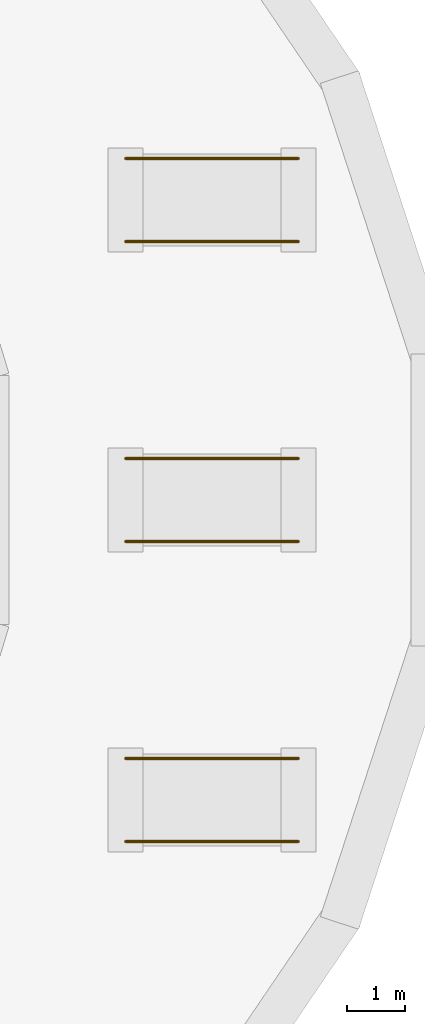
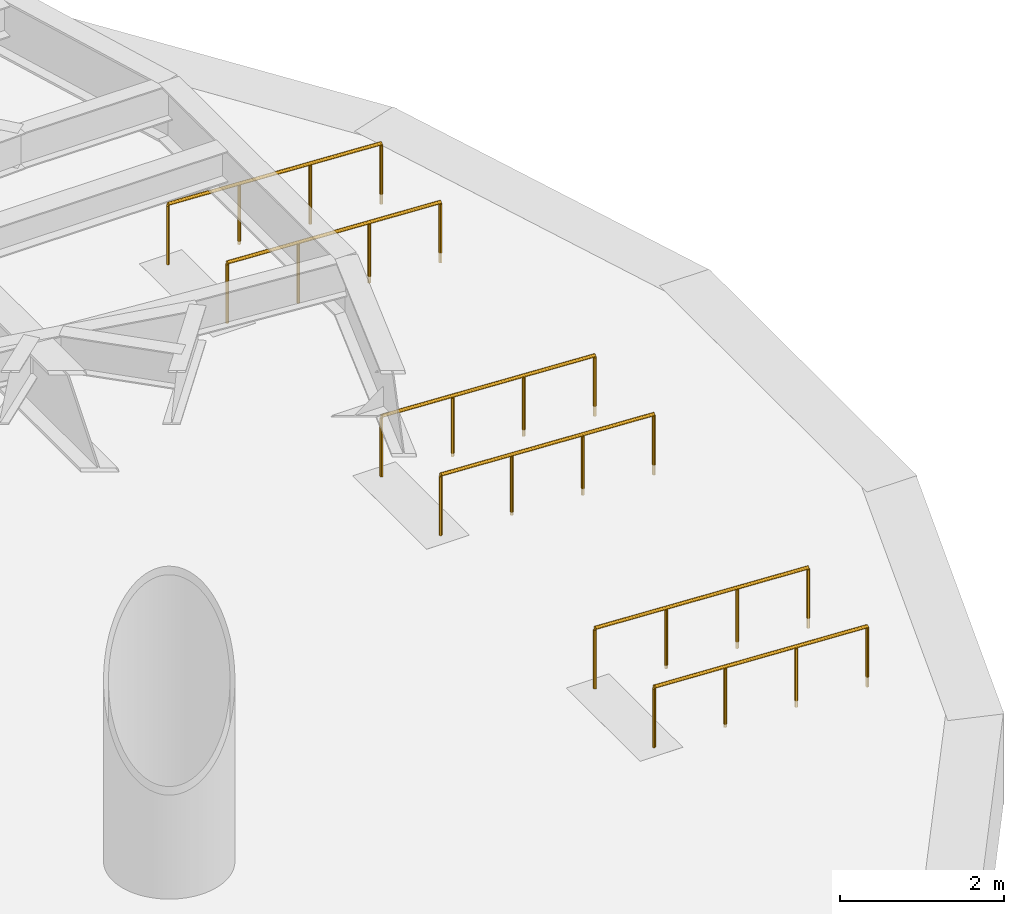
# One storey, part 20 of 21: 6 railings.
"""IFC4 building model written with IfcOpenShell, lengths in metres."""

import ifcopenshell
import ifcopenshell.guid

model = None  # the IFC model being written
_history = None  # IfcOwnerHistory: only IFC2X3 demands one
_inside = {}  # id of a spatial element -> (the spatial element, [elements in it])
_under = {}  # id of a project, library or spatial element -> (it, [spatial elements below it])
_declared = {}  # id of a project -> (the project, [libraries it declares])
_typed = {}  # id of a type object -> (the type object, [elements of that type])
_made_of = {}  # id of a material, layer set ... -> (it, [elements and type objects made of it])


def new_model(schema):
    """Start an empty IFC model of exactly this schema.

    Asked for "IFC4X3", IfcOpenShell would pick the latest addendum, in which some entities
    have other attributes; the version numbers below select the first issue.
    IFC2X3 requires an IfcOwnerHistory on every rooted entity: one is made here for all.
    """
    global model, _history
    if schema == "IFC4X3":
        model = ifcopenshell.file(schema_version=(4, 3, 0, 0))
    else:
        model = ifcopenshell.file(schema=schema)
    _inside.clear()
    _under.clear()
    _declared.clear()
    _typed.clear()
    _made_of.clear()
    _history = None
    if model.schema == "IFC2X3":
        org = make("IfcOrganization", Name="unknown")
        user = make(
            "IfcPersonAndOrganization",
            ThePerson=make("IfcPerson", FamilyName="unknown"),
            TheOrganization=org,
        )
        app = make(
            "IfcApplication",
            ApplicationDeveloper=org,
            Version="unknown",
            ApplicationFullName="unknown",
            ApplicationIdentifier="unknown",
        )
        _history = make(
            "IfcOwnerHistory",
            OwningUser=user,
            OwningApplication=app,
            ChangeAction="ADDED",
            CreationDate=0,
        )
    return model


def make(cls, **values):
    """One entity of the class cls with the attributes given. An attribute that is None is left unset."""
    return model.create_entity(
        cls, **{name: value for name, value in values.items() if value is not None}
    )


def rooted(cls, **values):
    """An entity with a GlobalId (a new one), such as an element, a storey or a relation."""
    return make(cls, GlobalId=ifcopenshell.guid.new(), OwnerHistory=_history, **values)


def si_unit(unit_type, name, prefix=None):
    """IfcSIUnit, for example si_unit("LENGTHUNIT", "METRE", prefix="MILLI")."""
    return make("IfcSIUnit", UnitType=unit_type, Prefix=prefix, Name=name)


def assignment(units):
    """IfcUnitAssignment: the units of a project."""
    return None if units is None else make("IfcUnitAssignment", Units=units)


def point(xyz):
    """IfcCartesianPoint."""
    return None if xyz is None else make("IfcCartesianPoint", Coordinates=xyz)


def direction(xyz):
    """IfcDirection."""
    return None if xyz is None else make("IfcDirection", DirectionRatios=xyz)


def frame(location, z_axis=None, x_axis=None):
    """IfcAxis2Placement3D, a coordinate frame: its origin and axes. An axis left out is left unset."""
    return make(
        "IfcAxis2Placement3D",
        Location=point(location),
        Axis=direction(z_axis),
        RefDirection=direction(x_axis),
    )


def frame_2d(location, x_axis=None):
    """IfcAxis2Placement2D, a coordinate frame in the plane: its origin and x axis."""
    return make(
        "IfcAxis2Placement2D", Location=point(location), RefDirection=direction(x_axis)
    )


def origin():
    """The frame at (0, 0, 0) with its axes left unset."""
    return frame((0.0, 0.0, 0.0))


def origin_2d():
    """The frame at (0, 0) in the plane with its x axis left unset."""
    return frame_2d((0.0, 0.0))


def place(relative_to, where):
    """IfcLocalPlacement: puts the frame where relative to a parent placement (None: the world)."""
    return make(
        "IfcLocalPlacement", PlacementRelTo=relative_to, RelativePlacement=where
    )


def context(
    kind, dimensions, precision=None, world=None, true_north=None, identifier=None
):
    """IfcGeometricRepresentationContext, for example the 3D "Model" context."""
    return make(
        "IfcGeometricRepresentationContext",
        ContextIdentifier=identifier,
        ContextType=kind,
        CoordinateSpaceDimension=dimensions,
        Precision=precision,
        WorldCoordinateSystem=world,
        TrueNorth=true_north,
    )


def subcontext(parent, identifier, kind, view, scale=None):
    """IfcGeometricRepresentationSubContext, for example "Body" below "Model"."""
    return make(
        "IfcGeometricRepresentationSubContext",
        ContextIdentifier=identifier,
        ContextType=kind,
        ParentContext=parent,
        TargetScale=scale,
        TargetView=view,
    )


def project(units=None, contexts=None):
    """IfcProject with its units and contexts."""
    return rooted(
        "IfcProject",
        Name="project",
        RepresentationContexts=contexts,
        UnitsInContext=assignment(units),
    )


def spatial(cls, under=None, at=None, **own):
    """A site, building, storey or space (cls), placed at a placement, below another one or the project."""
    s = rooted(cls, ObjectPlacement=at, **own)
    if under is not None:
        _under.setdefault(under.id(), (under, []))[1].append(s)
    return s


def profile(cls, at=None, kind="AREA", **sizes):
    """A parametric profile (cls). Its sizes go by their IFC names, for example OverallWidth=200.0."""
    return make(cls, ProfileType=kind, Position=at, **sizes)


def circle(**sizes):
    """IfcCircleProfileDef."""
    return profile("IfcCircleProfileDef", **sizes)


def extrude(swept, where, along, depth):
    """IfcExtrudedAreaSolid: the profile swept, set in the frame where, extruded along a direction by depth."""
    return make(
        "IfcExtrudedAreaSolid",
        SweptArea=swept,
        Position=where,
        ExtrudedDirection=direction(along),
        Depth=depth,
    )


def shape(context_of_items, identifier, shape_type, items):
    """IfcShapeRepresentation: the items that make up one representation, for example the "Body"."""
    return make(
        "IfcShapeRepresentation",
        ContextOfItems=context_of_items,
        RepresentationIdentifier=identifier,
        RepresentationType=shape_type,
        Items=items,
    )


def material(Name=None, Category=None):
    """IfcMaterial."""
    return make("IfcMaterial", Name=Name, Category=Category)


def made_of(thing, what):
    """Note that an element or type object is made of a material, layer set ...; save() writes the relation."""
    if what is not None:
        _made_of.setdefault(what.id(), (what, []))[1].append(thing)
    return thing


def type_object(cls, material=None, **own):
    """A type object (cls), such as IfcWallType, which elements share."""
    return made_of(rooted(cls, **own), material)


def element(
    cls,
    number,
    at=None,
    inside=None,
    cuts=None,
    type_object=None,
    material=None,
    context=None,
    identifier="Body",
    shape_type=None,
    held_by="IfcProductDefinitionShape",
    body=None,
    shapes=None,
    **own,
):
    """One element of the class cls, such as IfcWall. Its Tag is "e" and its number.

    at: its placement. inside: the storey or other place that contains it. cuts: it is an
    opening in that element (IfcRelVoidsElement). A single representation is given by context,
    identifier, shape_type and body (its items); several are given by shapes. held_by: the class
    of the entity that holds the representations. save() writes the other relations.
    """
    e = rooted(cls, Tag="e%d" % number, ObjectPlacement=at, **own)
    if body is not None:
        shapes = [shape(context, identifier, shape_type, body)]
    if shapes is not None:
        e.Representation = make(held_by, Representations=shapes)
    if inside is not None:
        _inside.setdefault(inside.id(), (inside, []))[1].append(e)
    if cuts is not None:
        rooted(
            "IfcRelVoidsElement", RelatingBuildingElement=cuts, RelatedOpeningElement=e
        )
    if type_object is not None:
        _typed.setdefault(type_object.id(), (type_object, []))[1].append(e)
    return made_of(e, material)


def aggregate(whole, parts):
    """IfcRelAggregates: a whole, such as a stair, and the parts it consists of."""
    return rooted("IfcRelAggregates", RelatingObject=whole, RelatedObjects=parts)


def save(model, path):
    """Write the relations noted so far, then the file.

    IfcRelAggregates (storeys below a building ...), IfcRelContainedInSpatialStructure (elements
    in a storey), IfcRelDefinesByType, IfcRelAssociatesMaterial and IfcRelDeclares: one each for
    every whole, place, type object, material and project.
    """
    for whole, parts in _under.values():
        aggregate(whole, parts)
    for where, things in _inside.values():
        rooted(
            "IfcRelContainedInSpatialStructure",
            RelatedElements=things,
            RelatingStructure=where,
        )
    for kind, things in _typed.values():
        rooted("IfcRelDefinesByType", RelatedObjects=things, RelatingType=kind)
    for what, things in _made_of.values():
        rooted("IfcRelAssociatesMaterial", RelatedObjects=things, RelatingMaterial=what)
    for by, libraries in _declared.values():
        rooted("IfcRelDeclares", RelatingContext=by, RelatedDefinitions=libraries)
    model.write(path)


model = new_model("IFC4")

# Units and contexts
model_context = context("Model", 3, precision=1e-05, world=origin(), true_north=direction((0.0, 1.0)))
body_context = subcontext(model_context, "Body", "Model", "MODEL_VIEW")
ifc_project = project(units=[si_unit("LENGTHUNIT", "METRE"), si_unit("AREAUNIT", "SQUARE_METRE"), si_unit("VOLUMEUNIT", "CUBIC_METRE"), si_unit("PLANEANGLEUNIT", "RADIAN"), si_unit("MASSUNIT", "GRAM", prefix="KILO")], contexts=[model_context])

# Site, building, storey
site_placement = place(None, origin())
site = spatial("IfcSite", under=ifc_project, at=site_placement, CompositionType="ELEMENT")
building_placement = place(site_placement, origin())
building = spatial("IfcBuilding", under=site, at=building_placement, Name="Keldmark Tower", CompositionType="ELEMENT")
storey_placement = place(building_placement, origin())
storey = spatial("IfcBuildingStorey", under=building, at=storey_placement, Name="L00", CompositionType="ELEMENT", Elevation=0.0)

# Railings
ifc_material = material(Name="Brushed Stainless Alloy 316L", Category="metal")
railing_type = type_object("IfcRailingType", Name="Accessible Ramp Stainless Handrail 920 mm", PredefinedType="HANDRAIL", material=ifc_material)
for number, where, name in (
    (1, (38.5, -4.47998046875, -0.14990234375), "L00 Ramp Handrail E1-L"),
    (2, (38.5, -5.919921875, -0.14990234375), "L00 Ramp Handrail E1-R"),
    (3, (38.5, 0.719970703125, -0.14990234375), "L00 Ramp Handrail E2-L"),
    (4, (38.5, -0.719970703125, -0.14990234375), "L00 Ramp Handrail E2-R"),
    (5, (38.5, 5.919921875, -0.14990234375), "L00 Ramp Handrail E3-L"),
    (6, (38.5, 4.47998046875, -0.14990234375), "L00 Ramp Handrail E3-R"),
):
    element("IfcRailing", number, at=place(storey_placement, frame(where)), inside=storey, type_object=railing_type, Name=name, PredefinedType="HANDRAIL", context=body_context, shape_type="SweptSolid", body=[
        extrude(circle(Radius=0.02392578125, at=origin_2d()), frame((0.0, 0.0, 0.89599609375), z_axis=(-0.998753959874, 0.0, 0.049905186472), x_axis=(0.0, -1.0, 0.0)), (0.0, 0.0, 1.0), 3.003662109375),
        extrude(circle(Radius=0.02099609375, at=origin_2d()), origin(), (0.0, 0.0, 1.0), 0.871826171875),
        extrude(circle(Radius=0.02099609375, at=origin_2d()), frame((-1.0, 0.0, 0.050048828125)), (0.0, 0.0, 1.0), 0.871826171875),
        extrude(circle(Radius=0.02099609375, at=origin_2d()), frame((-2.0, 0.0, 0.099853515625)), (0.0, 0.0, 1.0), 0.871826171875),
        extrude(circle(Radius=0.02099609375, at=origin_2d()), frame((-3.0, 0.0, 0.14990234375)), (0.0, 0.0, 1.0), 0.871826171875),
    ])

save(model, "model.ifc")
